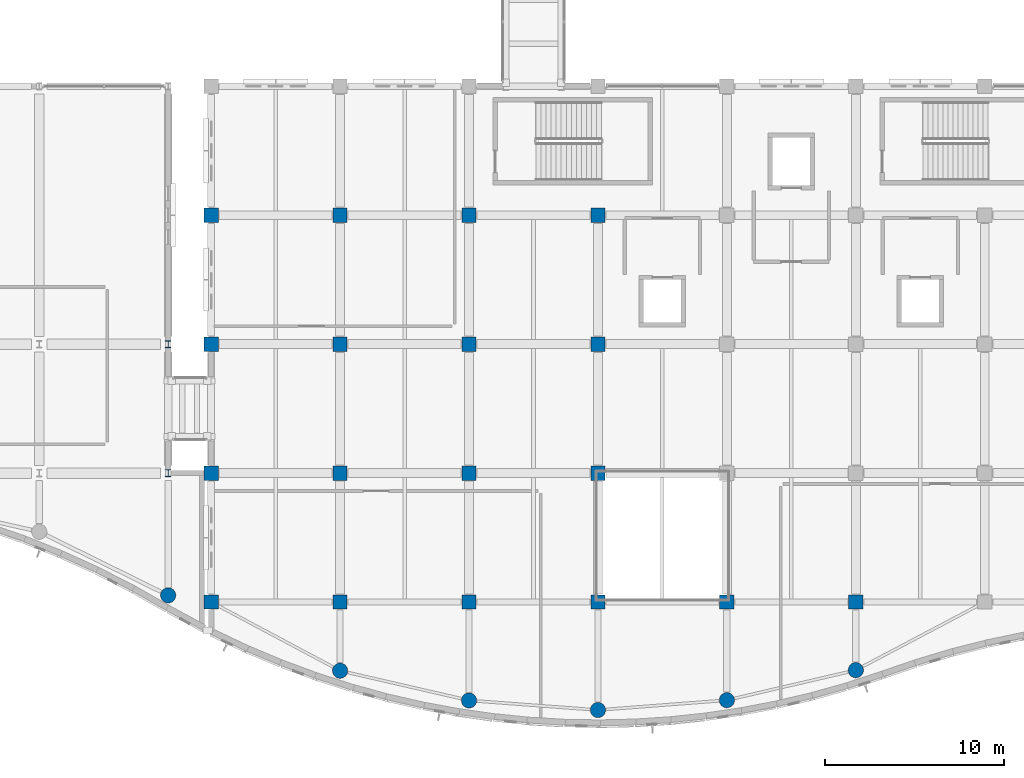
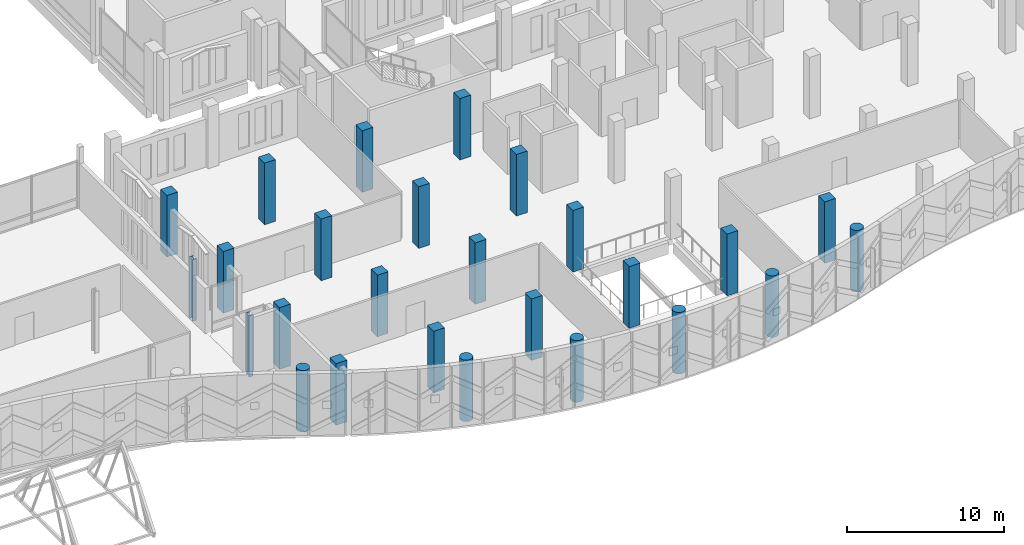
# One storey, part 13 of 220: 26 columns.
"""IFC4 building model written with IfcOpenShell, lengths in metres."""

from ifc_helpers import new_model, si_unit, direction, frame, origin, origin_2d, place, context, subcontext, project, spatial, rectangle, circle, i_section, extrude, material, material_profile, profile_set, type_object, element, save


model = new_model("IFC4")

# Units and contexts
model_context = context("Model", 3, precision=1e-05, world=origin(), true_north=direction((0.0, 1.0)))
body_context = subcontext(model_context, "Body", "Model", "MODEL_VIEW")
ifc_project = project(units=[si_unit("LENGTHUNIT", "METRE"), si_unit("AREAUNIT", "SQUARE_METRE"), si_unit("VOLUMEUNIT", "CUBIC_METRE"), si_unit("PLANEANGLEUNIT", "RADIAN"), si_unit("MASSUNIT", "GRAM", prefix="KILO")], contexts=[model_context])

# Site, building, storey
site_placement = place(None, origin())
site = spatial("IfcSite", under=ifc_project, at=site_placement, CompositionType="ELEMENT")
building_placement = place(site_placement, origin())
building = spatial("IfcBuilding", under=site, at=building_placement, Name="Cendralis Lancet Convention Centre", CompositionType="ELEMENT")
storey_placement = place(building_placement, frame((0.0, 0.0, 5.39990234375)))
storey = spatial("IfcBuildingStorey", under=building, at=storey_placement, Name="L01", CompositionType="ELEMENT", Elevation=5.39990234375)

# Columns
ifc_material_1 = material(Name="Concrete G40 (C40/50)", Category="concrete")
ifc_material_profile_1 = material_profile(ifc_material_1, rectangle(XDim=0.800048828125, YDim=0.800048828125, at=origin_2d()), Name="RC 800x800")
ifc_profile_set_1 = profile_set([ifc_material_profile_1], Name="Concrete G40 (C40/50)")
column_type_1 = type_object("IfcColumnType", Name="STR-COL-C05", PredefinedType="COLUMN", material=ifc_profile_set_1)
for number, where, z_axis, x_axis, name in (
    (1, (132.0, 7.199951171875, 0.0), (0.0, 0.0, 1.0), (1.0, 0.0, 0.0), "L01 Column C05 at 132.0,7.2"),
    (2, (132.0, 14.39990234375, 0.0), (0.0, 0.0, 1.0), (1.0, 0.0, 0.0), "L01 Column C05 at 132.0,14.4"),
    (3, (132.0, 21.60009765625, 0.0), (0.0, 0.0, 1.0), (1.0, 0.0, 0.0), "L01 Column C05 at 132.0,21.6"),
    (4, (132.0, 28.800048828125, 0.0), (0.0, 0.0, 1.0), (1.0, 0.0, 0.0), "L01 Column C05 at 132.0,28.8"),
):
    element("IfcColumn", number, at=place(storey_placement, frame(where, z_axis=z_axis, x_axis=x_axis)), inside=storey, type_object=column_type_1, Name=name, PredefinedType="COLUMN", context=body_context, shape_type="SweptSolid", body=[
        extrude(rectangle(XDim=0.800048828125, YDim=0.800048828125, at=origin_2d()), origin(), (0.0, 0.0, 1.0), 4.800048828125),
    ])
ifc_material_profile_2 = material_profile(ifc_material_1, rectangle(XDim=0.800048828125, YDim=0.800048828125, at=origin_2d()), Name="RC 800x800")
ifc_profile_set_2 = profile_set([ifc_material_profile_2], Name="Concrete G40 (C40/50)")
column_type_2 = type_object("IfcColumnType", Name="STR-COL-C05-INT", PredefinedType="COLUMN", material=ifc_profile_set_2)
for number, where, z_axis, x_axis, name in (
    (5, (139.199951171875, 7.199951171875, 0.0), (0.0, 0.0, 1.0), (1.0, 0.0, 0.0), "L01 Column C05 at 139.2,7.2"),
    (6, (139.199951171875, 14.39990234375, 0.0), (0.0, 0.0, 1.0), (1.0, 0.0, 0.0), "L01 Column C05 at 139.2,14.4"),
    (7, (139.199951171875, 21.60009765625, 0.0), (0.0, 0.0, 1.0), (1.0, 0.0, 0.0), "L01 Column C05 at 139.2,21.6"),
    (8, (139.199951171875, 28.800048828125, 0.0), (0.0, 0.0, 1.0), (1.0, 0.0, 0.0), "L01 Column C05 at 139.2,28.8"),
    (9, (146.39990234375, 7.199951171875, 0.0), (0.0, 0.0, 1.0), (1.0, 0.0, 0.0), "L01 Column C05 at 146.4,7.2"),
    (10, (146.39990234375, 14.39990234375, 0.0), (0.0, 0.0, 1.0), (1.0, 0.0, 0.0), "L01 Column C05 at 146.4,14.4"),
    (11, (146.39990234375, 21.60009765625, 0.0), (0.0, 0.0, 1.0), (1.0, 0.0, 0.0), "L01 Column C05 at 146.4,21.6"),
    (12, (146.39990234375, 28.800048828125, 0.0), (0.0, 0.0, 1.0), (1.0, 0.0, 0.0), "L01 Column C05 at 146.4,28.8"),
    (13, (153.60009765625, 7.199951171875, 0.0), (0.0, 0.0, 1.0), (1.0, 0.0, 0.0), "L01 Column C05 at 153.6,7.2"),
    (14, (153.60009765625, 14.39990234375, 0.0), (0.0, 0.0, 1.0), (1.0, 0.0, 0.0), "L01 Column C05 at 153.6,14.4"),
    (15, (153.60009765625, 21.60009765625, 0.0), (0.0, 0.0, 1.0), (1.0, 0.0, 0.0), "L01 Column C05 at 153.6,21.6"),
    (16, (153.60009765625, 28.800048828125, 0.0), (0.0, 0.0, 1.0), (1.0, 0.0, 0.0), "L01 Column C05 at 153.6,28.8"),
    (17, (160.800048828125, 7.199951171875, 0.0), (0.0, 0.0, 1.0), (1.0, 0.0, 0.0), "L01 Column C05 at 160.8,7.2"),
    (18, (168.0, 7.199951171875, 0.0), (0.0, 0.0, 1.0), (1.0, 0.0, 0.0), "L01 Column C05 at 168.0,7.2"),
):
    element("IfcColumn", number, at=place(storey_placement, frame(where, z_axis=z_axis, x_axis=x_axis)), inside=storey, type_object=column_type_2, Name=name, PredefinedType="COLUMN", context=body_context, shape_type="SweptSolid", body=[
        extrude(rectangle(XDim=0.800048828125, YDim=0.800048828125, at=origin_2d()), origin(), (0.0, 0.0, 1.0), 4.800048828125),
    ])
ifc_material_profile_3 = material_profile(ifc_material_1, circle(Radius=0.425048828125, at=origin_2d()), Name="RC D850")
ifc_profile_set_3 = profile_set([ifc_material_profile_3], Name="Concrete G40 (C40/50)")
column_type_3 = type_object("IfcColumnType", Name="STR-COL-C17", PredefinedType="COLUMN", material=ifc_profile_set_3)
for number, where, z_axis, x_axis, name in (
    (19, (139.199951171875, 3.36572265625, 0.0), (0.0, 0.0, 1.0), (1.0, 0.0, 0.0), "L01 Column C17 at 139.2,3.4"),
    (20, (146.39990234375, 1.705810546875, 0.0), (0.0, 0.0, 1.0), (1.0, 0.0, 0.0), "L01 Column C17 at 146.4,1.7"),
    (21, (153.60009765625, 1.169921875, 0.0), (0.0, 0.0, 1.0), (1.0, 0.0, 0.0), "L01 Column C17 at 153.6,1.2"),
    (22, (160.800048828125, 1.720458984375, 0.0), (0.0, 0.0, 1.0), (1.0, 0.0, 0.0), "L01 Column C17 at 160.8,1.7"),
    (23, (168.0, 3.396240234375, 0.0), (0.0, 0.0, 1.0), (1.0, 0.0, 0.0), "L01 Column C17 at 168.0,3.4"),
    (24, (129.60009765625, 7.57275390625, 0.0), (0.0, 0.0, 1.0), (1.0, 0.0, 0.0), "L01 Column C17 at 129.6,7.6"),
):
    element("IfcColumn", number, at=place(storey_placement, frame(where, z_axis=z_axis, x_axis=x_axis)), inside=storey, type_object=column_type_3, Name=name, PredefinedType="COLUMN", context=body_context, shape_type="SweptSolid", body=[
        extrude(circle(Radius=0.425048828125, at=origin_2d()), origin(), (0.0, 0.0, 1.0), 4.800048828125),
    ])
ifc_material_2 = material(Name="Steel S355", Category="steel")
ifc_material_profile_4 = material_profile(ifc_material_2, i_section(OverallWidth=0.300048828125, OverallDepth=0.39990234375, WebThickness=0.013427734375, FlangeThickness=0.02392578125, FilletRadius=0.027099609375, at=origin_2d()), Name="HEB 400")
ifc_profile_set_4 = profile_set([ifc_material_profile_4], Name="Steel S355")
column_type_4 = type_object("IfcColumnType", Name="STR-COL-C25", PredefinedType="COLUMN", material=ifc_profile_set_4)
for number, where, z_axis, x_axis, name in (
    (25, (129.60009765625, 14.39990234375, 0.0), (0.0, 0.0, 1.0), (1.0, 0.0, 0.0), "L01 Column C25 at 129.6,14.4"),
    (26, (129.60009765625, 21.60009765625, 0.0), (0.0, 0.0, 1.0), (1.0, 0.0, 0.0), "L01 Column C25 at 129.6,21.6"),
):
    element("IfcColumn", number, at=place(storey_placement, frame(where, z_axis=z_axis, x_axis=x_axis)), inside=storey, type_object=column_type_4, Name=name, PredefinedType="COLUMN", context=body_context, shape_type="SweptSolid", body=[
        extrude(i_section(OverallWidth=0.300048828125, OverallDepth=0.39990234375, WebThickness=0.013427734375, FlangeThickness=0.02392578125, FilletRadius=0.027099609375, at=origin_2d()), origin(), (0.0, 0.0, 1.0), 4.800048828125),
    ])

save(model, "model.ifc")
